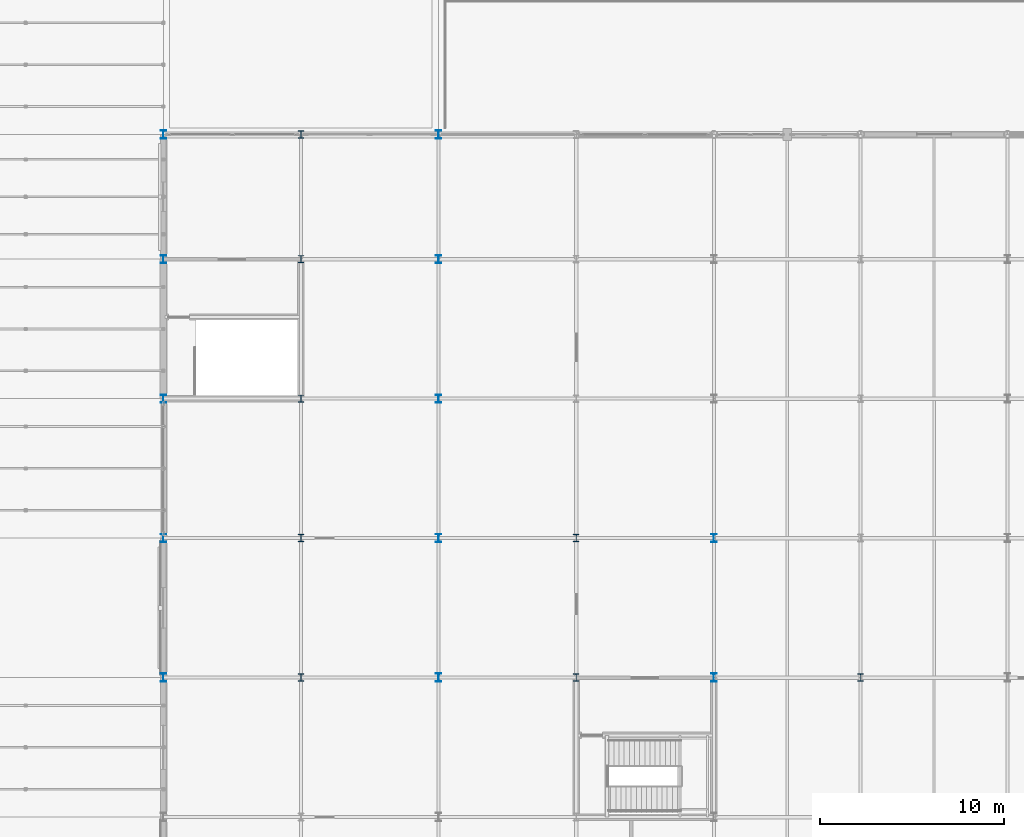
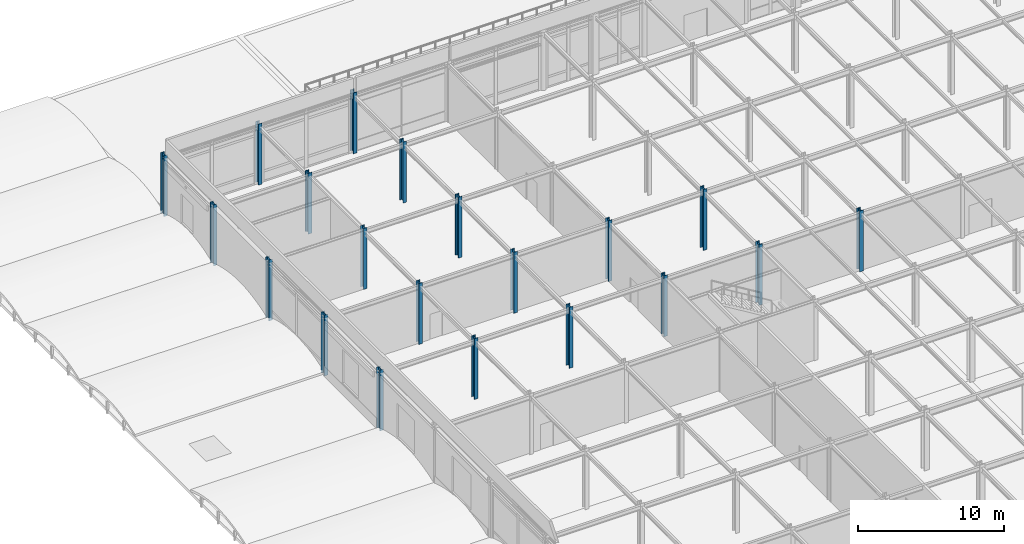
# One storey, part 9 of 113: 20 columns.
"""IFC4 building model written with IfcOpenShell, lengths in metres."""

from ifc_helpers import new_model, si_unit, direction, frame, origin, origin_2d, place, context, subcontext, project, spatial, i_section, extrude, material, material_profile, profile_set, type_object, element, save


model = new_model("IFC4")

# Units and contexts
model_context = context("Model", 3, precision=1e-05, world=origin(), true_north=direction((0.0, 1.0)))
body_context = subcontext(model_context, "Body", "Model", "MODEL_VIEW")
ifc_project = project(units=[si_unit("LENGTHUNIT", "METRE"), si_unit("AREAUNIT", "SQUARE_METRE"), si_unit("VOLUMEUNIT", "CUBIC_METRE"), si_unit("PLANEANGLEUNIT", "RADIAN"), si_unit("MASSUNIT", "GRAM", prefix="KILO")], contexts=[model_context])

# Site, building, storey
site_placement = place(None, origin())
site = spatial("IfcSite", under=ifc_project, at=site_placement, CompositionType="ELEMENT")
building_placement = place(site_placement, origin())
building = spatial("IfcBuilding", under=site, at=building_placement, Name="Shalkamar Park Central Library", CompositionType="ELEMENT")
storey_placement = place(building_placement, frame((0.0, 0.0, 5.39990234375)))
storey = spatial("IfcBuildingStorey", under=building, at=storey_placement, Name="L02", CompositionType="ELEMENT", Elevation=5.39990234375)

# Columns
ifc_material = material(Name="Steel S355", Category="steel")
ifc_material_profile_1 = material_profile(ifc_material, i_section(OverallWidth=0.300048828125, OverallDepth=0.39990234375, WebThickness=0.013427734375, FlangeThickness=0.02392578125, FilletRadius=0.027099609375, at=origin_2d()), Name="HEB 400")
ifc_profile_set_1 = profile_set([ifc_material_profile_1], Name="Steel S355")
column_type_1 = type_object("IfcColumnType", Name="Column Steel HEB400", PredefinedType="COLUMN", material=ifc_profile_set_1)
for number, where, z_axis, x_axis, name in (
    (1, (142.5, 308.39990234375, 0.0), (0.0, 0.0, 1.0), (1.0, 0.0, 0.0), "Column 04/K (L02)"),
    (2, (142.5, 316.0, 0.0), (0.0, 0.0, 1.0), (1.0, 0.0, 0.0), "Column 04/L (L02)"),
    (3, (142.5, 323.60009765625, 0.0), (0.0, 0.0, 1.0), (1.0, 0.0, 0.0), "Column 04/M (L02)"),
    (4, (142.5, 331.199951171875, 0.0), (0.0, 0.0, 1.0), (1.0, 0.0, 0.0), "Column 04/N (L02)"),
    (5, (142.5, 338.0, 0.0), (0.0, 0.0, 1.0), (1.0, 0.0, 0.0), "Column 04/P (L02)"),
    (6, (157.5, 308.39990234375, 0.0), (0.0, 0.0, 1.0), (1.0, 0.0, 0.0), "Column 06/K (L02)"),
    (7, (157.5, 316.0, 0.0), (0.0, 0.0, 1.0), (1.0, 0.0, 0.0), "Column 06/L (L02)"),
    (8, (173.0, 308.39990234375, 0.0), (0.0, 0.0, 1.0), (1.0, 0.0, 0.0), "Column 08/K (L02)"),
):
    element("IfcColumn", number, at=place(storey_placement, frame(where, z_axis=z_axis, x_axis=x_axis)), inside=storey, type_object=column_type_1, Name=name, PredefinedType="COLUMN", context=body_context, shape_type="SweptSolid", body=[
        extrude(i_section(OverallWidth=0.300048828125, OverallDepth=0.39990234375, WebThickness=0.013427734375, FlangeThickness=0.02392578125, FilletRadius=0.027099609375, at=origin_2d()), origin(), (0.0, 0.0, 1.0), 5.10009765625),
    ])
ifc_material_profile_2 = material_profile(ifc_material, i_section(OverallWidth=0.300048828125, OverallDepth=0.449951171875, WebThickness=0.013916015625, FlangeThickness=0.02587890625, FilletRadius=0.027099609375, at=origin_2d()), Name="HEB 450")
ifc_profile_set_2 = profile_set([ifc_material_profile_2], Name="Steel S355")
column_type_2 = type_object("IfcColumnType", Name="Column Steel HEB450", PredefinedType="COLUMN", material=ifc_profile_set_2)
for number, where, z_axis, x_axis, name in (
    (9, (135.0, 308.39990234375, 0.0), (0.0, 0.0, 1.0), (1.0, 0.0, 0.0), "Column 03/K (L02)"),
    (10, (135.0, 316.0, 0.0), (0.0, 0.0, 1.0), (1.0, 0.0, 0.0), "Column 03/L (L02)"),
    (11, (135.0, 323.60009765625, 0.0), (0.0, 0.0, 1.0), (1.0, 0.0, 0.0), "Column 03/M (L02)"),
    (12, (135.0, 331.199951171875, 0.0), (0.0, 0.0, 1.0), (1.0, 0.0, 0.0), "Column 03/N (L02)"),
    (13, (135.0, 338.0, 0.0), (0.0, 0.0, 1.0), (1.0, 0.0, 0.0), "Column 03/P (L02)"),
    (14, (150.0, 308.39990234375, 0.0), (0.0, 0.0, 1.0), (1.0, 0.0, 0.0), "Column 05/K (L02)"),
    (15, (150.0, 316.0, 0.0), (0.0, 0.0, 1.0), (1.0, 0.0, 0.0), "Column 05/L (L02)"),
    (16, (150.0, 323.60009765625, 0.0), (0.0, 0.0, 1.0), (1.0, 0.0, 0.0), "Column 05/M (L02)"),
    (17, (150.0, 331.199951171875, 0.0), (0.0, 0.0, 1.0), (1.0, 0.0, 0.0), "Column 05/N (L02)"),
    (18, (150.0, 338.0, 0.0), (0.0, 0.0, 1.0), (1.0, 0.0, 0.0), "Column 05/P (L02)"),
    (19, (165.0, 308.39990234375, 0.0), (0.0, 0.0, 1.0), (1.0, 0.0, 0.0), "Column 07/K (L02)"),
    (20, (165.0, 316.0, 0.0), (0.0, 0.0, 1.0), (1.0, 0.0, 0.0), "Column 07/L (L02)"),
):
    element("IfcColumn", number, at=place(storey_placement, frame(where, z_axis=z_axis, x_axis=x_axis)), inside=storey, type_object=column_type_2, Name=name, PredefinedType="COLUMN", context=body_context, shape_type="SweptSolid", body=[
        extrude(i_section(OverallWidth=0.300048828125, OverallDepth=0.449951171875, WebThickness=0.013916015625, FlangeThickness=0.02587890625, FilletRadius=0.027099609375, at=origin_2d()), origin(), (0.0, 0.0, 1.0), 5.10009765625),
    ])

save(model, "model.ifc")
